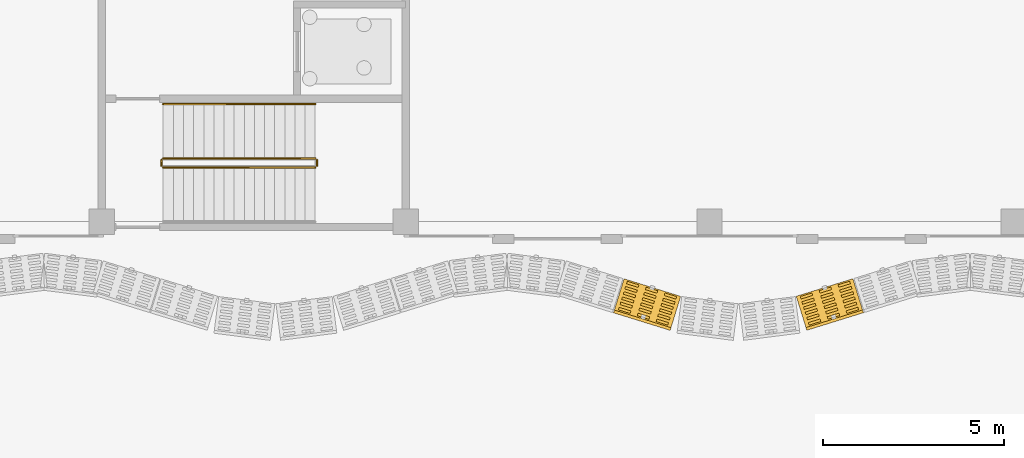
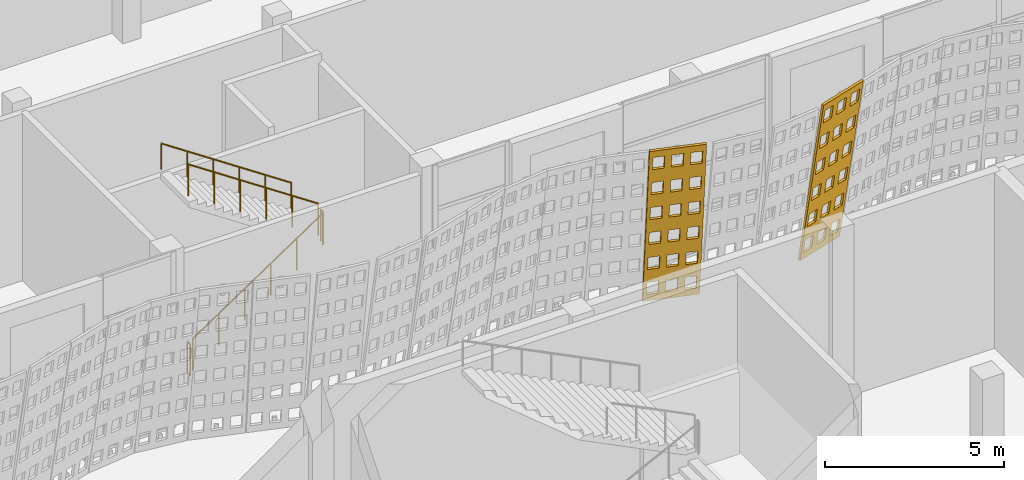
# One storey, part 189 of 210: 5 railings, 2 coverings.
"""IFC4 building model written with IfcOpenShell, lengths in metres."""

from ifc_helpers import new_model, si_unit, direction, frame, origin, origin_2d, place, context, subcontext, project, spatial, polyline, circle, outline, extrude, material, layer, layer_set, type_object, element, save


model = new_model("IFC4")

# Units and contexts
model_context = context("Model", 3, precision=1e-05, world=origin(), true_north=direction((0.0, 1.0)))
body_context = subcontext(model_context, "Body", "Model", "MODEL_VIEW")
ifc_project = project(units=[si_unit("LENGTHUNIT", "METRE"), si_unit("AREAUNIT", "SQUARE_METRE"), si_unit("VOLUMEUNIT", "CUBIC_METRE"), si_unit("PLANEANGLEUNIT", "RADIAN"), si_unit("MASSUNIT", "GRAM", prefix="KILO")], contexts=[model_context])

# Site, building, storey
site_placement = place(None, origin())
site = spatial("IfcSite", under=ifc_project, at=site_placement, CompositionType="ELEMENT")
building_placement = place(site_placement, origin())
building = spatial("IfcBuilding", under=site, at=building_placement, Name="Rain Tree Exposition and Congress Centre", CompositionType="ELEMENT")
storey_placement = place(building_placement, origin())
storey = spatial("IfcBuildingStorey", under=building, at=storey_placement, Name="L00", CompositionType="ELEMENT", Elevation=0.0)

# Railings
ifc_material_1 = material(Name="Aluminium and glass balustrade", Category="aluminium")
railing_type_1 = type_object("IfcRailingType", Name="Concourse guard 1100", PredefinedType="GUARDRAIL", material=ifc_material_1)
railing_1_placement = place(storey_placement, frame((169.699951171875, 77.10009765625, 0.1875)))
element("IfcRailing", 1, at=railing_1_placement, inside=storey, type_object=railing_type_1, Name="L00 ST-C4 stair guard 1", PredefinedType="GUARDRAIL", context=body_context, shape_type="SweptSolid", body=[
    extrude(circle(Radius=0.02392578125, at=origin_2d()), frame((0.0, 0.0, 1.076171875), z_axis=(0.830904186295, 0.0, 0.556415522067), x_axis=(0.0, 1.0, 0.0)), (0.0, 0.0, 1.0), 5.0546875),
    extrude(circle(Radius=0.02099609375, at=origin_2d()), origin(), (0.0, 0.0, 1.0), 1.052001953125),
    extrude(circle(Radius=0.02099609375, at=origin_2d()), frame((0.840087890625, 0.0, 0.5625)), (0.0, 0.0, 1.0), 1.052001953125),
    extrude(circle(Radius=0.02099609375, at=origin_2d()), frame((1.679931640625, 0.0, 1.125)), (0.0, 0.0, 1.0), 1.052001953125),
    extrude(circle(Radius=0.02099609375, at=origin_2d()), frame((2.52001953125, 0.0, 1.6875)), (0.0, 0.0, 1.0), 1.052001953125),
    extrude(circle(Radius=0.02099609375, at=origin_2d()), frame((3.35986328125, 0.0, 2.25)), (0.0, 0.0, 1.0), 1.052001953125),
    extrude(circle(Radius=0.02099609375, at=origin_2d()), frame((4.199951171875, 0.0, 2.8125)), (0.0, 0.0, 1.0), 1.052001953125),
])
railing_2_placement = place(storey_placement, frame((173.949951171875, 77.14990234375, 3.0)))
element("IfcRailing", 2, at=railing_2_placement, inside=storey, type_object=railing_type_1, Name="L00 ST-C4 stair guard 2", PredefinedType="GUARDRAIL", context=body_context, shape_type="SweptSolid", body=[
    extrude(circle(Radius=0.02392578125, at=origin_2d()), frame((0.0, 0.0, 1.076171875), z_axis=(0.0, 1.0, 0.0), x_axis=(-1.0, 0.0, 0.0)), (0.0, 0.0, 1.0), 0.150146484375),
    extrude(circle(Radius=0.02099609375, at=origin_2d()), origin(), (0.0, 0.0, 1.0), 1.052001953125),
    extrude(circle(Radius=0.02099609375, at=origin_2d()), frame((0.0, 0.150146484375, 0.0)), (0.0, 0.0, 1.0), 1.052001953125),
])
railing_3_placement = place(storey_placement, frame((173.89990234375, 77.35009765625, 3.1875)))
element("IfcRailing", 3, at=railing_3_placement, inside=storey, type_object=railing_type_1, Name="L00 ST-C4 stair guard 3", PredefinedType="GUARDRAIL", context=body_context, shape_type="SweptSolid", body=[
    extrude(circle(Radius=0.02392578125, at=origin_2d()), frame((0.0, 0.0, 1.076171875), z_axis=(-0.830904186295, 0.0, 0.556415522067), x_axis=(0.0, -1.0, 0.0)), (0.0, 0.0, 1.0), 5.0546875),
    extrude(circle(Radius=0.02099609375, at=origin_2d()), origin(), (0.0, 0.0, 1.0), 1.052001953125),
    extrude(circle(Radius=0.02099609375, at=origin_2d()), frame((-0.840087890625, 0.0, 0.5625)), (0.0, 0.0, 1.0), 1.052001953125),
    extrude(circle(Radius=0.02099609375, at=origin_2d()), frame((-1.679931640625, 0.0, 1.125)), (0.0, 0.0, 1.0), 1.052001953125),
    extrude(circle(Radius=0.02099609375, at=origin_2d()), frame((-2.52001953125, 0.0, 1.6875)), (0.0, 0.0, 1.0), 1.052001953125),
    extrude(circle(Radius=0.02099609375, at=origin_2d()), frame((-3.35986328125, 0.0, 2.25)), (0.0, 0.0, 1.0), 1.052001953125),
    extrude(circle(Radius=0.02099609375, at=origin_2d()), frame((-4.199951171875, 0.0, 2.8125)), (0.0, 0.0, 1.0), 1.052001953125),
])
railing_4_placement = place(storey_placement, frame((169.64990234375, 77.14990234375, 0.0)))
element("IfcRailing", 4, at=railing_4_placement, inside=storey, type_object=railing_type_1, Name="L00 ST-C4 stair guard 4", PredefinedType="GUARDRAIL", context=body_context, shape_type="SweptSolid", body=[
    extrude(circle(Radius=0.02392578125, at=origin_2d()), frame((0.0, 0.0, 1.076171875), z_axis=(0.0, 1.0, 0.0), x_axis=(-1.0, 0.0, 0.0)), (0.0, 0.0, 1.0), 0.150146484375),
    extrude(circle(Radius=0.02099609375, at=origin_2d()), origin(), (0.0, 0.0, 1.0), 1.052001953125),
    extrude(circle(Radius=0.02099609375, at=origin_2d()), frame((0.0, 0.150146484375, 0.0)), (0.0, 0.0, 1.0), 1.052001953125),
])
ifc_material_2 = material(Name="Aluminium handrail", Category="aluminium")
railing_type_2 = type_object("IfcRailingType", Name="Concourse handrail 900", PredefinedType="HANDRAIL", material=ifc_material_2)
railing_5_placement = place(storey_placement, frame((173.89990234375, 78.85009765625, 3.1875)))
element("IfcRailing", 5, at=railing_5_placement, inside=storey, type_object=railing_type_2, Name="L00 ST-C4 stair handrail 2", PredefinedType="HANDRAIL", context=body_context, shape_type="SweptSolid", body=[
    extrude(circle(Radius=0.02392578125, at=origin_2d()), frame((0.0, 0.0, 0.8759765625), z_axis=(-0.830904186295, 0.0, 0.556415522067), x_axis=(0.0, -1.0, 0.0)), (0.0, 0.0, 1.0), 5.0546875),
    extrude(circle(Radius=0.02099609375, at=origin_2d()), origin(), (0.0, 0.0, 1.0), 0.851806640625),
    extrude(circle(Radius=0.02099609375, at=origin_2d()), frame((-0.840087890625, 0.0, 0.5625)), (0.0, 0.0, 1.0), 0.851806640625),
    extrude(circle(Radius=0.02099609375, at=origin_2d()), frame((-1.679931640625, 0.0, 1.125)), (0.0, 0.0, 1.0), 0.851806640625),
    extrude(circle(Radius=0.02099609375, at=origin_2d()), frame((-2.52001953125, 0.0, 1.6875)), (0.0, 0.0, 1.0), 0.851806640625),
    extrude(circle(Radius=0.02099609375, at=origin_2d()), frame((-3.35986328125, 0.0, 2.25)), (0.0, 0.0, 1.0), 0.851806640625),
    extrude(circle(Radius=0.02099609375, at=origin_2d()), frame((-4.199951171875, 0.0, 2.8125)), (0.0, 0.0, 1.0), 0.851806640625),
])

# Coverings
ifc_material_3 = material(Name="Perforated terracotta", Category="masonry")
ifc_layer = layer(ifc_material_3, 0.080078125)
ifc_layer_set = layer_set([ifc_layer], Name="Perforated terracotta")
covering_type = type_object("IfcCoveringType", Name="Terracotta screen 80", PredefinedType="CLADDING", material=ifc_layer_set)
covering_1_placement = place(storey_placement, frame((182.39990234375, 73.949951171875, 0.0), z_axis=(0.293072736571, 0.943327870838, 0.155694891303), x_axis=(-0.954973588716, 0.296690823679, 0.0)))
element("IfcCovering", 6, at=covering_1_placement, inside=storey, type_object=covering_type, Name="concourse/screen/L00/115", PredefinedType="CLADDING", context=body_context, shape_type="SweptSolid", body=[
    extrude(outline(polyline([(-0.014892578125, 0.0), (-1.65283203125, 0.0), (-1.65283203125, 5.80859375), (-0.014892578125, 5.80859375), (-0.014892578125, 0.0)]), holes=[polyline([(-0.11865234375, 0.249755859375), (-0.11865234375, 0.71826171875), (-0.457275390625, 0.71826171875), (-0.457275390625, 0.249755859375), (-0.11865234375, 0.249755859375)]), polyline([(-0.11865234375, 1.218017578125), (-0.11865234375, 1.686279296875), (-0.457275390625, 1.686279296875), (-0.457275390625, 1.218017578125), (-0.11865234375, 1.218017578125)]), polyline([(-0.11865234375, 2.18603515625), (-0.11865234375, 2.654541015625), (-0.457275390625, 2.654541015625), (-0.457275390625, 2.18603515625), (-0.11865234375, 2.18603515625)]), polyline([(-0.11865234375, 3.154052734375), (-0.11865234375, 3.62255859375), (-0.457275390625, 3.62255859375), (-0.457275390625, 3.154052734375), (-0.11865234375, 3.154052734375)]), polyline([(-0.11865234375, 4.122314453125), (-0.11865234375, 4.5908203125), (-0.457275390625, 4.5908203125), (-0.457275390625, 4.122314453125), (-0.11865234375, 4.122314453125)]), polyline([(-0.11865234375, 5.09033203125), (-0.11865234375, 5.558837890625), (-0.457275390625, 5.558837890625), (-0.457275390625, 5.09033203125), (-0.11865234375, 5.09033203125)]), polyline([(-0.664794921875, 0.249755859375), (-0.664794921875, 0.71826171875), (-1.003173828125, 0.71826171875), (-1.003173828125, 0.249755859375), (-0.664794921875, 0.249755859375)]), polyline([(-0.664794921875, 1.218017578125), (-0.664794921875, 1.686279296875), (-1.003173828125, 1.686279296875), (-1.003173828125, 1.218017578125), (-0.664794921875, 1.218017578125)]), polyline([(-0.664794921875, 2.18603515625), (-0.664794921875, 2.654541015625), (-1.003173828125, 2.654541015625), (-1.003173828125, 2.18603515625), (-0.664794921875, 2.18603515625)]), polyline([(-0.664794921875, 3.154052734375), (-0.664794921875, 3.62255859375), (-1.003173828125, 3.62255859375), (-1.003173828125, 3.154052734375), (-0.664794921875, 3.154052734375)]), polyline([(-0.664794921875, 4.122314453125), (-0.664794921875, 4.5908203125), (-1.003173828125, 4.5908203125), (-1.003173828125, 4.122314453125), (-0.664794921875, 4.122314453125)]), polyline([(-0.664794921875, 5.09033203125), (-0.664794921875, 5.558837890625), (-1.003173828125, 5.558837890625), (-1.003173828125, 5.09033203125), (-0.664794921875, 5.09033203125)]), polyline([(-1.210693359375, 0.249755859375), (-1.210693359375, 0.71826171875), (-1.54931640625, 0.71826171875), (-1.54931640625, 0.249755859375), (-1.210693359375, 0.249755859375)]), polyline([(-1.210693359375, 1.218017578125), (-1.210693359375, 1.686279296875), (-1.54931640625, 1.686279296875), (-1.54931640625, 1.218017578125), (-1.210693359375, 1.218017578125)]), polyline([(-1.210693359375, 2.18603515625), (-1.210693359375, 2.654541015625), (-1.54931640625, 2.654541015625), (-1.54931640625, 2.18603515625), (-1.210693359375, 2.18603515625)]), polyline([(-1.210693359375, 3.154052734375), (-1.210693359375, 3.62255859375), (-1.54931640625, 3.62255859375), (-1.54931640625, 3.154052734375), (-1.210693359375, 3.154052734375)]), polyline([(-1.210693359375, 4.122314453125), (-1.210693359375, 4.5908203125), (-1.54931640625, 4.5908203125), (-1.54931640625, 4.122314453125), (-1.210693359375, 4.122314453125)]), polyline([(-1.210693359375, 5.09033203125), (-1.210693359375, 5.558837890625), (-1.54931640625, 5.558837890625), (-1.54931640625, 5.09033203125), (-1.210693359375, 5.09033203125)])]), origin(), (0.0, 0.0, 1.0), 0.080078125),
])
covering_2_placement = place(storey_placement, frame((187.199951171875, 73.455078125, 0.0), z_axis=(-0.293072736571, 0.943327870838, 0.155694891303), x_axis=(-0.954973588716, -0.296690823679, 0.0)))
element("IfcCovering", 7, at=covering_2_placement, inside=storey, type_object=covering_type, Name="concourse/screen/L00/118", PredefinedType="CLADDING", context=body_context, shape_type="SweptSolid", body=[
    extrude(outline(polyline([(-0.02197265625, 0.0), (-1.659912109375, 0.0), (-1.659912109375, 5.80859375), (-0.02197265625, 5.80859375), (-0.02197265625, 0.0)]), holes=[polyline([(-0.125732421875, 0.249755859375), (-0.125732421875, 0.71826171875), (-0.464111328125, 0.71826171875), (-0.464111328125, 0.249755859375), (-0.125732421875, 0.249755859375)]), polyline([(-0.125732421875, 1.218017578125), (-0.125732421875, 1.686279296875), (-0.464111328125, 1.686279296875), (-0.464111328125, 1.218017578125), (-0.125732421875, 1.218017578125)]), polyline([(-0.125732421875, 2.18603515625), (-0.125732421875, 2.654541015625), (-0.464111328125, 2.654541015625), (-0.464111328125, 2.18603515625), (-0.125732421875, 2.18603515625)]), polyline([(-0.125732421875, 3.154052734375), (-0.125732421875, 3.62255859375), (-0.464111328125, 3.62255859375), (-0.464111328125, 3.154052734375), (-0.125732421875, 3.154052734375)]), polyline([(-0.125732421875, 4.122314453125), (-0.125732421875, 4.5908203125), (-0.464111328125, 4.5908203125), (-0.464111328125, 4.122314453125), (-0.125732421875, 4.122314453125)]), polyline([(-0.125732421875, 5.09033203125), (-0.125732421875, 5.558837890625), (-0.464111328125, 5.558837890625), (-0.464111328125, 5.09033203125), (-0.125732421875, 5.09033203125)]), polyline([(-0.671630859375, 0.249755859375), (-0.671630859375, 0.71826171875), (-1.010009765625, 0.71826171875), (-1.010009765625, 0.249755859375), (-0.671630859375, 0.249755859375)]), polyline([(-0.671630859375, 1.218017578125), (-0.671630859375, 1.686279296875), (-1.010009765625, 1.686279296875), (-1.010009765625, 1.218017578125), (-0.671630859375, 1.218017578125)]), polyline([(-0.671630859375, 2.18603515625), (-0.671630859375, 2.654541015625), (-1.010009765625, 2.654541015625), (-1.010009765625, 2.18603515625), (-0.671630859375, 2.18603515625)]), polyline([(-0.671630859375, 3.154052734375), (-0.671630859375, 3.62255859375), (-1.010009765625, 3.62255859375), (-1.010009765625, 3.154052734375), (-0.671630859375, 3.154052734375)]), polyline([(-0.671630859375, 4.122314453125), (-0.671630859375, 4.5908203125), (-1.010009765625, 4.5908203125), (-1.010009765625, 4.122314453125), (-0.671630859375, 4.122314453125)]), polyline([(-0.671630859375, 5.09033203125), (-0.671630859375, 5.558837890625), (-1.010009765625, 5.558837890625), (-1.010009765625, 5.09033203125), (-0.671630859375, 5.09033203125)]), polyline([(-1.217529296875, 0.249755859375), (-1.217529296875, 0.71826171875), (-1.55615234375, 0.71826171875), (-1.55615234375, 0.249755859375), (-1.217529296875, 0.249755859375)]), polyline([(-1.217529296875, 1.218017578125), (-1.217529296875, 1.686279296875), (-1.55615234375, 1.686279296875), (-1.55615234375, 1.218017578125), (-1.217529296875, 1.218017578125)]), polyline([(-1.217529296875, 2.18603515625), (-1.217529296875, 2.654541015625), (-1.55615234375, 2.654541015625), (-1.55615234375, 2.18603515625), (-1.217529296875, 2.18603515625)]), polyline([(-1.217529296875, 3.154052734375), (-1.217529296875, 3.62255859375), (-1.55615234375, 3.62255859375), (-1.55615234375, 3.154052734375), (-1.217529296875, 3.154052734375)]), polyline([(-1.217529296875, 4.122314453125), (-1.217529296875, 4.5908203125), (-1.55615234375, 4.5908203125), (-1.55615234375, 4.122314453125), (-1.217529296875, 4.122314453125)]), polyline([(-1.217529296875, 5.09033203125), (-1.217529296875, 5.558837890625), (-1.55615234375, 5.558837890625), (-1.55615234375, 5.09033203125), (-1.217529296875, 5.09033203125)])]), origin(), (0.0, 0.0, 1.0), 0.080078125),
])

save(model, "model.ifc")
